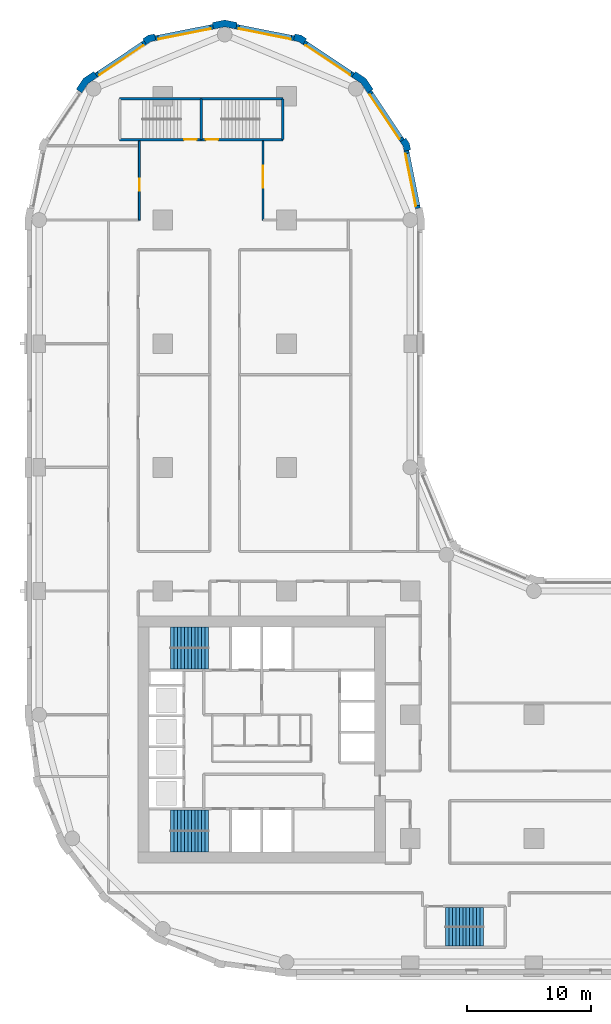
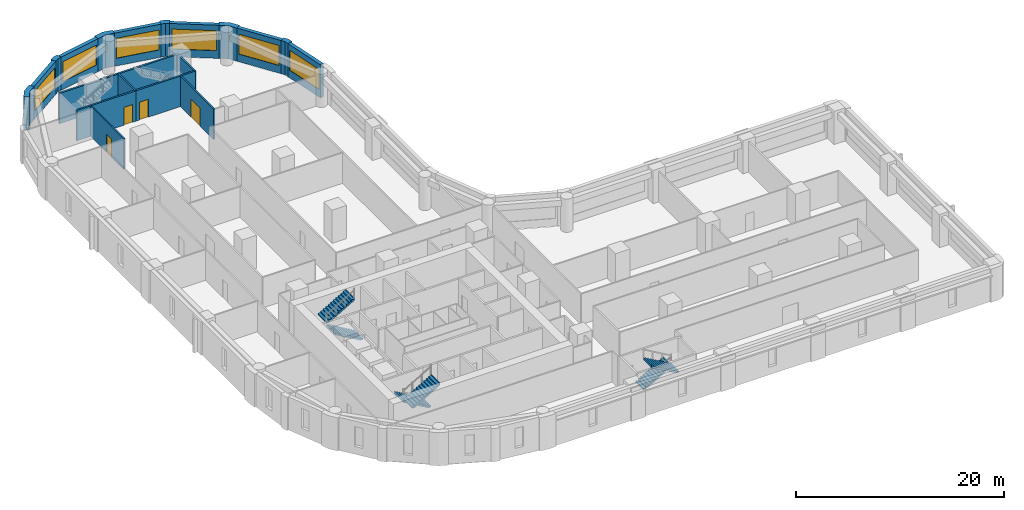
# One storey, part 7 of 10: 20 walls, 6 stair flights, 6 windows, 4 doors, 10 openings, 3 elements without a shape of their own.
"""IFC4 building model written with IfcOpenShell, lengths in metres."""

from ifc_helpers import new_model, si_unit, direction, frame, frame_2d, origin, place, context, subcontext, project, spatial, polyline, rectangle, outline, extrude, material, layer, layer_set, type_object, element, fill, aggregate, save


model = new_model("IFC4")

# Units and contexts
model_context = context("Model", 3, precision=1e-05, world=origin(), true_north=direction((0.0, 1.0)))
body_context = subcontext(model_context, "Body", "Model", "MODEL_VIEW")
ifc_project = project(units=[si_unit("LENGTHUNIT", "METRE"), si_unit("AREAUNIT", "SQUARE_METRE"), si_unit("VOLUMEUNIT", "CUBIC_METRE"), si_unit("PLANEANGLEUNIT", "RADIAN"), si_unit("MASSUNIT", "GRAM", prefix="KILO")], contexts=[model_context])

# Site, building, storey
site_placement = place(None, origin())
site = spatial("IfcSite", under=ifc_project, at=site_placement, CompositionType="ELEMENT")
building_placement = place(site_placement, origin())
building = spatial("IfcBuilding", under=site, at=building_placement, Name="Qaws Garden Tower", CompositionType="ELEMENT")
storey_placement = place(building_placement, frame((0.0, 0.0, 12.0)))
storey = spatial("IfcBuildingStorey", under=building, at=storey_placement, Name="L02", CompositionType="ELEMENT", Elevation=12.0)

# Wall, opening, window
ifc_material_1 = material(Name="Clay facing brick masonry", Category="masonry")
ifc_layer_1 = layer(ifc_material_1, 0.39990234375)
ifc_layer_set_1 = layer_set([ifc_layer_1], Name="Clay facing brick masonry")
wall_type_1 = type_object("IfcWallType", Name="Brick infill wall 400", PredefinedType="SOLIDWALL", material=ifc_layer_set_1)
wall_1_placement = place(storey_placement, frame((30.628662109375, 60.940673828125, 0.0), z_axis=(0.0, 0.0, 1.0), x_axis=(-0.195098533057, 0.98078364709, 0.0)))
wall_1 = element("IfcWall", 1, at=wall_1_placement, inside=storey, type_object=wall_type_1, Name="E-L02-infill-15", PredefinedType="SOLIDWALL", context=body_context, shape_type="SweptSolid", body=[
    extrude(rectangle(XDim=4.752685546875, YDim=0.39990234375, at=frame_2d((2.37646484375, 0.0))), origin(), (0.0, 0.0, 1.0), 3.89990234375),
])
opening_1_placement = place(wall_1_placement, frame((0.226318359375, 0.0, 0.89990234375)))
opening_1 = element("IfcOpeningElement", 2, at=opening_1_placement, cuts=wall_1, Name="Opening W06", PredefinedType="OPENING", context=body_context, shape_type="SweptSolid", body=[
    extrude(rectangle(XDim=4.300048828125, YDim=2.35009765625, at=frame_2d((2.14990234375, 1.175048828125))), frame((0.0, 0.2099609375, 0.0), z_axis=(0.0, -1.0, 0.0), x_axis=(1.0, 0.0, 0.0)), (0.0, 0.0, 1.0), 0.419921875),
])
ifc_material_2 = material(Name="Aluminium framed window, clear glazing", Category="aluminium")
window_type = type_object("IfcWindowType", Name="Ribbon window 4300 x 2350", PartitioningType="DOUBLE_PANEL_VERTICAL", PredefinedType="WINDOW", material=ifc_material_2)
window_1_placement = place(opening_1_placement, origin())
window_1 = element("IfcWindow", 3, at=window_1_placement, inside=storey, type_object=window_type, Name="E-L02-window-15-0", OverallHeight=2.35009765625, OverallWidth=4.300048828125, PartitioningType="SINGLE_PANEL", PredefinedType="WINDOW", context=body_context, shape_type="SweptSolid", body=[
    extrude(rectangle(XDim=4.300048828125, YDim=2.35009765625, at=frame_2d((2.14990234375, 1.175048828125))), frame((0.0, 0.159912109375, 0.0), z_axis=(0.0, -1.0, 0.0), x_axis=(1.0, 0.0, 0.0)), (0.0, 0.0, 1.0), 0.06005859375),
])
fill(opening_1, window_1)

wall_2_placement = place(storey_placement, frame((29.356689453125, 66.43408203125, 0.0), z_axis=(0.0, 0.0, 1.0), x_axis=(-0.555541552266, 0.831488775454, 0.0)))
wall_2 = element("IfcWall", 4, at=wall_2_placement, inside=storey, type_object=wall_type_1, Name="E-L02-infill-16", PredefinedType="SOLIDWALL", context=body_context, shape_type="SweptSolid", body=[
    extrude(rectangle(XDim=4.752685546875, YDim=0.39990234375, at=frame_2d((2.37646484375, 0.0))), origin(), (0.0, 0.0, 1.0), 3.89990234375),
])
opening_2_placement = place(wall_2_placement, frame((0.226318359375, 0.0, 0.89990234375)))
opening_2 = element("IfcOpeningElement", 5, at=opening_2_placement, cuts=wall_2, Name="Opening W06", PredefinedType="OPENING", context=body_context, shape_type="SweptSolid", body=[
    extrude(rectangle(XDim=4.300048828125, YDim=2.35009765625, at=frame_2d((2.14990234375, 1.175048828125))), frame((0.0, 0.2099609375, 0.0), z_axis=(0.0, -1.0, 0.0), x_axis=(1.0, 0.0, 0.0)), (0.0, 0.0, 1.0), 0.419921875),
])
window_2_placement = place(opening_2_placement, origin())
window_2 = element("IfcWindow", 6, at=window_2_placement, inside=storey, type_object=window_type, Name="E-L02-window-16-0", OverallHeight=2.35009765625, OverallWidth=4.300048828125, PartitioningType="SINGLE_PANEL", PredefinedType="WINDOW", context=body_context, shape_type="SweptSolid", body=[
    extrude(rectangle(XDim=4.300048828125, YDim=2.35009765625, at=frame_2d((2.14990234375, 1.175048828125))), frame((0.0, 0.159912109375, 0.0), z_axis=(0.0, -1.0, 0.0), x_axis=(1.0, 0.0, 0.0)), (0.0, 0.0, 1.0), 0.06005859375),
])
fill(opening_2, window_2)

wall_3_placement = place(storey_placement, frame((25.385986328125, 71.71630859375, 0.0), z_axis=(0.0, 0.0, 1.0), x_axis=(-0.831488775454, 0.555541552266, 0.0)))
wall_3 = element("IfcWall", 7, at=wall_3_placement, inside=storey, type_object=wall_type_1, Name="E-L02-infill-17", PredefinedType="SOLIDWALL", context=body_context, shape_type="SweptSolid", body=[
    extrude(rectangle(XDim=4.752685546875, YDim=0.39990234375, at=frame_2d((2.37646484375, 0.0))), origin(), (0.0, 0.0, 1.0), 3.89990234375),
])
opening_3_placement = place(wall_3_placement, frame((0.226318359375, 0.0, 0.89990234375)))
opening_3 = element("IfcOpeningElement", 8, at=opening_3_placement, cuts=wall_3, Name="Opening W06", PredefinedType="OPENING", context=body_context, shape_type="SweptSolid", body=[
    extrude(rectangle(XDim=4.300048828125, YDim=2.35009765625, at=frame_2d((2.14990234375, 1.175048828125))), frame((0.0, 0.2099609375, 0.0), z_axis=(0.0, -1.0, 0.0), x_axis=(1.0, 0.0, 0.0)), (0.0, 0.0, 1.0), 0.419921875),
])
window_3_placement = place(opening_3_placement, origin())
window_3 = element("IfcWindow", 9, at=window_3_placement, inside=storey, type_object=window_type, Name="E-L02-window-17-0", OverallHeight=2.35009765625, OverallWidth=4.300048828125, PartitioningType="SINGLE_PANEL", PredefinedType="WINDOW", context=body_context, shape_type="SweptSolid", body=[
    extrude(rectangle(XDim=4.300048828125, YDim=2.35009765625, at=frame_2d((2.14990234375, 1.175048828125))), frame((0.0, 0.159912109375, 0.0), z_axis=(0.0, -1.0, 0.0), x_axis=(1.0, 0.0, 0.0)), (0.0, 0.0, 1.0), 0.06005859375),
])
fill(opening_3, window_3)

wall_4_placement = place(storey_placement, frame((20.60205078125, 74.701416015625, 0.0), z_axis=(0.0, 0.0, 1.0), x_axis=(-0.98078364709, 0.195098533057, 0.0)))
wall_4 = element("IfcWall", 10, at=wall_4_placement, inside=storey, type_object=wall_type_1, Name="E-L02-infill-18", PredefinedType="SOLIDWALL", context=body_context, shape_type="SweptSolid", body=[
    extrude(rectangle(XDim=4.752685546875, YDim=0.39990234375, at=frame_2d((2.37646484375, 0.0))), origin(), (0.0, 0.0, 1.0), 3.89990234375),
])
opening_4_placement = place(wall_4_placement, frame((0.226318359375, 0.0, 0.89990234375)))
opening_4 = element("IfcOpeningElement", 11, at=opening_4_placement, cuts=wall_4, Name="Opening W06", PredefinedType="OPENING", context=body_context, shape_type="SweptSolid", body=[
    extrude(rectangle(XDim=4.300048828125, YDim=2.35009765625, at=frame_2d((2.14990234375, 1.175048828125))), frame((0.0, 0.2099609375, 0.0), z_axis=(0.0, -1.0, 0.0), x_axis=(1.0, 0.0, 0.0)), (0.0, 0.0, 1.0), 0.419921875),
])
window_4_placement = place(opening_4_placement, origin())
window_4 = element("IfcWindow", 12, at=window_4_placement, inside=storey, type_object=window_type, Name="E-L02-window-18-0", OverallHeight=2.35009765625, OverallWidth=4.300048828125, PartitioningType="SINGLE_PANEL", PredefinedType="WINDOW", context=body_context, shape_type="SweptSolid", body=[
    extrude(rectangle(XDim=4.300048828125, YDim=2.35009765625, at=frame_2d((2.14990234375, 1.175048828125))), frame((0.0, 0.159912109375, 0.0), z_axis=(0.0, -1.0, 0.0), x_axis=(1.0, 0.0, 0.0)), (0.0, 0.0, 1.0), 0.06005859375),
])
fill(opening_4, window_4)

wall_5_placement = place(storey_placement, frame((14.059326171875, 75.628662109375, 0.0), z_axis=(0.0, 0.0, 1.0), x_axis=(-0.98078364709, -0.195098533057, 0.0)))
wall_5 = element("IfcWall", 13, at=wall_5_placement, inside=storey, type_object=wall_type_1, Name="E-L02-infill-19", PredefinedType="SOLIDWALL", context=body_context, shape_type="SweptSolid", body=[
    extrude(rectangle(XDim=4.752685546875, YDim=0.39990234375, at=frame_2d((2.37646484375, 0.0))), origin(), (0.0, 0.0, 1.0), 3.89990234375),
])
opening_5_placement = place(wall_5_placement, frame((0.226318359375, 0.0, 0.89990234375)))
opening_5 = element("IfcOpeningElement", 14, at=opening_5_placement, cuts=wall_5, Name="Opening W06", PredefinedType="OPENING", context=body_context, shape_type="SweptSolid", body=[
    extrude(rectangle(XDim=4.300048828125, YDim=2.35009765625, at=frame_2d((2.14990234375, 1.175048828125))), frame((0.0, 0.2099609375, 0.0), z_axis=(0.0, -1.0, 0.0), x_axis=(1.0, 0.0, 0.0)), (0.0, 0.0, 1.0), 0.419921875),
])
window_5_placement = place(opening_5_placement, origin())
window_5 = element("IfcWindow", 15, at=window_5_placement, inside=storey, type_object=window_type, Name="E-L02-window-19-0", OverallHeight=2.35009765625, OverallWidth=4.300048828125, PartitioningType="SINGLE_PANEL", PredefinedType="WINDOW", context=body_context, shape_type="SweptSolid", body=[
    extrude(rectangle(XDim=4.300048828125, YDim=2.35009765625, at=frame_2d((2.14990234375, 1.175048828125))), frame((0.0, 0.159912109375, 0.0), z_axis=(0.0, -1.0, 0.0), x_axis=(1.0, 0.0, 0.0)), (0.0, 0.0, 1.0), 0.06005859375),
])
fill(opening_5, window_5)

wall_6_placement = place(storey_placement, frame((8.56591796875, 74.356689453125, 0.0), z_axis=(0.0, 0.0, 1.0), x_axis=(-0.831488775454, -0.555541552266, 0.0)))
wall_6 = element("IfcWall", 16, at=wall_6_placement, inside=storey, type_object=wall_type_1, Name="E-L02-infill-20", PredefinedType="SOLIDWALL", context=body_context, shape_type="SweptSolid", body=[
    extrude(rectangle(XDim=4.752685546875, YDim=0.39990234375, at=frame_2d((2.37646484375, 0.0))), origin(), (0.0, 0.0, 1.0), 3.89990234375),
])
opening_6_placement = place(wall_6_placement, frame((0.226318359375, 0.0, 0.89990234375)))
opening_6 = element("IfcOpeningElement", 17, at=opening_6_placement, cuts=wall_6, Name="Opening W06", PredefinedType="OPENING", context=body_context, shape_type="SweptSolid", body=[
    extrude(rectangle(XDim=4.300048828125, YDim=2.35009765625, at=frame_2d((2.14990234375, 1.175048828125))), frame((0.0, 0.2099609375, 0.0), z_axis=(0.0, -1.0, 0.0), x_axis=(1.0, 0.0, 0.0)), (0.0, 0.0, 1.0), 0.419921875),
])
window_6_placement = place(opening_6_placement, origin())
window_6 = element("IfcWindow", 18, at=window_6_placement, inside=storey, type_object=window_type, Name="E-L02-window-20-0", OverallHeight=2.35009765625, OverallWidth=4.300048828125, PartitioningType="SINGLE_PANEL", PredefinedType="WINDOW", context=body_context, shape_type="SweptSolid", body=[
    extrude(rectangle(XDim=4.300048828125, YDim=2.35009765625, at=frame_2d((2.14990234375, 1.175048828125))), frame((0.0, 0.159912109375, 0.0), z_axis=(0.0, -1.0, 0.0), x_axis=(1.0, 0.0, 0.0)), (0.0, 0.0, 1.0), 0.06005859375),
])
fill(opening_6, window_6)

# Walls
ifc_material_3 = material(Name="Clay facing brick masonry", Category="masonry")
ifc_layer_2 = layer(ifc_material_3, 0.550048828125)
ifc_layer_set_2 = layer_set([ifc_layer_2], Name="Clay facing brick masonry")
wall_type_2 = type_object("IfcWallType", Name="Brick kink pier 550 x 600", PredefinedType="SOLIDWALL", material=ifc_layer_set_2)
placement = place(storey_placement, origin())
element("IfcWall", 19, at=placement, inside=storey, type_object=wall_type_2, Name="E-L02-pier-16", PredefinedType="SOLIDWALL", context=body_context, shape_type="SweptSolid", body=[
    extrude(outline(polyline([(29.8974609375, 65.64111328125), (30.044677734375, 65.67041015625), (29.94140625, 66.18896484375), (29.647705078125, 66.628662109375), (29.52294921875, 66.545166015625), (29.1904296875, 66.322998046875), (29.42333984375, 65.974365234375), (29.505126953125, 65.56298828125), (29.8974609375, 65.64111328125)])), origin(), (0.0, 0.0, 1.0), 3.89990234375),
])
element("IfcWall", 20, at=placement, inside=storey, type_object=wall_type_2, Name="E-L02-pier-18", PredefinedType="SOLIDWALL", context=body_context, shape_type="SweptSolid", body=[
    extrude(outline(polyline([(21.545166015625, 74.52294921875), (21.628662109375, 74.647705078125), (21.18896484375, 74.94140625), (20.67041015625, 75.044677734375), (20.64111328125, 74.8974609375), (20.56298828125, 74.505126953125), (20.974365234375, 74.42333984375), (21.322998046875, 74.1904296875), (21.545166015625, 74.52294921875)])), origin(), (0.0, 0.0, 1.0), 3.89990234375),
])
element("IfcWall", 21, at=placement, inside=storey, type_object=wall_type_2, Name="E-L02-pier-20", PredefinedType="SOLIDWALL", context=body_context, shape_type="SweptSolid", body=[
    extrude(outline(polyline([(9.35888671875, 74.8974609375), (9.32958984375, 75.044677734375), (8.81103515625, 74.94140625), (8.371337890625, 74.647705078125), (8.454833984375, 74.52294921875), (8.677001953125, 74.1904296875), (9.025634765625, 74.42333984375), (9.43701171875, 74.505126953125), (9.35888671875, 74.8974609375)])), origin(), (0.0, 0.0, 1.0), 3.89990234375),
])
ifc_material_4 = material(Name="Clay facing brick masonry", Category="masonry")
ifc_layer_3 = layer(ifc_material_4, 0.550048828125)
ifc_layer_set_3 = layer_set([ifc_layer_3], Name="Clay facing brick masonry")
wall_type_3 = type_object("IfcWallType", Name="Brick pier 550 x 1600", PredefinedType="SOLIDWALL", material=ifc_layer_set_3)
element("IfcWall", 22, at=placement, inside=storey, type_object=wall_type_3, Name="E-L02-pier-17", PredefinedType="SOLIDWALL", context=body_context, shape_type="SweptSolid", body=[
    extrude(outline(polyline([(26.882568359375, 70.4970703125), (27.00732421875, 70.580322265625), (26.435791015625, 71.435791015625), (25.580322265625, 72.00732421875), (25.4970703125, 71.882568359375), (25.274658203125, 71.550048828125), (26.0390625, 71.0390625), (26.550048828125, 70.274658203125), (26.882568359375, 70.4970703125)])), origin(), (0.0, 0.0, 1.0), 3.89990234375),
])
element("IfcWall", 23, at=placement, inside=storey, type_object=wall_type_3, Name="E-L02-pier-19", PredefinedType="SOLIDWALL", context=body_context, shape_type="SweptSolid", body=[
    extrude(outline(polyline([(15.979736328125, 75.82470703125), (16.009033203125, 75.971923828125), (15.0, 76.172607421875), (13.990966796875, 75.971923828125), (14.020263671875, 75.82470703125), (14.098388671875, 75.432373046875), (15.0, 75.61181640625), (15.901611328125, 75.432373046875), (15.979736328125, 75.82470703125)])), origin(), (0.0, 0.0, 1.0), 3.89990234375),
])
element("IfcWall", 24, at=placement, inside=storey, type_object=wall_type_3, Name="E-L02-pier-21", PredefinedType="SOLIDWALL", context=body_context, shape_type="SweptSolid", body=[
    extrude(outline(polyline([(4.5029296875, 71.882568359375), (4.419677734375, 72.00732421875), (3.564208984375, 71.435791015625), (2.99267578125, 70.580322265625), (3.117431640625, 70.4970703125), (3.449951171875, 70.274658203125), (3.9609375, 71.0390625), (4.725341796875, 71.550048828125), (4.5029296875, 71.882568359375)])), origin(), (0.0, 0.0, 1.0), 3.89990234375),
])

# Wall, opening, door
ifc_material_5 = material(Name="Concrete C80", Category="concrete")
ifc_layer_4 = layer(ifc_material_5, 0.199951171875)
ifc_layer_set_4 = layer_set([ifc_layer_4], Name="Concrete C80")
wall_type_4 = type_object("IfcWallType", Name="Core shaft wall 200 C80", PredefinedType="SHEAR", material=ifc_layer_set_4)
wall_13_placement = place(storey_placement, frame((6.5, 66.5, 0.0), z_axis=(0.0, 0.0, 1.0), x_axis=(1.0, 0.0, 0.0)))
wall_13 = element("IfcWall", 25, at=wall_13_placement, inside=storey, type_object=wall_type_4, Name="Shaft wall", PredefinedType="SHEAR", context=body_context, shape_type="SweptSolid", body=[
    extrude(rectangle(XDim=6.60009765625, YDim=0.199951171875, at=frame_2d((3.300048828125, 0.0))), origin(), (0.0, 0.0, 1.0), 3.580078125),
])
opening_7_placement = place(wall_13_placement, frame((5.22509765625, 0.0, 0.0)))
opening_7 = element("IfcOpeningElement", 26, at=opening_7_placement, cuts=wall_13, Name="Opening SD13", PredefinedType="OPENING", context=body_context, shape_type="SweptSolid", body=[
    extrude(rectangle(XDim=1.0, YDim=2.10009765625, at=frame_2d((0.5, 1.050048828125))), frame((0.0, 0.10986328125, 0.0), z_axis=(0.0, -1.0, 0.0), x_axis=(1.0, 0.0, 0.0)), (0.0, 0.0, 1.0), 0.219970703125),
])
ifc_material_6 = material(Name="Steel S235", Category="steel")
door_type_1 = type_object("IfcDoorType", Name="Stair door 1000x2100", OperationType="SINGLE_SWING_RIGHT", PredefinedType="DOOR", material=ifc_material_6)
door_1_placement = place(opening_7_placement, origin())
door_1 = element("IfcDoor", 27, at=door_1_placement, inside=storey, type_object=door_type_1, Name="Stair 6 door", OperationType="SINGLE_SWING_RIGHT", OverallHeight=2.10009765625, OverallWidth=1.0, PredefinedType="DOOR", context=body_context, shape_type="SweptSolid", body=[
    extrude(rectangle(XDim=1.0, YDim=2.10009765625, at=frame_2d((0.5, 1.050048828125))), frame((0.0, 0.02490234375, 0.0), z_axis=(0.0, -1.0, 0.0), x_axis=(1.0, 0.0, 0.0)), (0.0, 0.0, 1.0), 0.050048828125),
])
fill(opening_7, door_1)

wall_14_placement = place(storey_placement, frame((13.10009765625, 66.5, 0.0), z_axis=(0.0, 0.0, 1.0), x_axis=(1.0, 0.0, 0.0)))
wall_14 = element("IfcWall", 28, at=wall_14_placement, inside=storey, type_object=wall_type_4, Name="Shaft wall", PredefinedType="SHEAR", context=body_context, shape_type="SweptSolid", body=[
    extrude(rectangle(XDim=6.599853515625, YDim=0.199951171875, at=frame_2d((3.2998046875, 0.0))), origin(), (0.0, 0.0, 1.0), 3.580078125),
])
opening_8_placement = place(wall_14_placement, frame((0.375, 0.0, 0.0)))
opening_8 = element("IfcOpeningElement", 29, at=opening_8_placement, cuts=wall_14, Name="Opening SD14", PredefinedType="OPENING", context=body_context, shape_type="SweptSolid", body=[
    extrude(rectangle(XDim=1.0, YDim=2.10009765625, at=frame_2d((0.5, 1.050048828125))), frame((0.0, 0.10986328125, 0.0), z_axis=(0.0, -1.0, 0.0), x_axis=(1.0, 0.0, 0.0)), (0.0, 0.0, 1.0), 0.219970703125),
])
door_2_placement = place(opening_8_placement, origin())
door_2 = element("IfcDoor", 30, at=door_2_placement, inside=storey, type_object=door_type_1, Name="Stair 7 door", OperationType="SINGLE_SWING_LEFT", OverallHeight=2.10009765625, OverallWidth=1.0, PredefinedType="DOOR", context=body_context, shape_type="SweptSolid", body=[
    extrude(rectangle(XDim=1.0, YDim=2.10009765625, at=frame_2d((0.5, 1.050048828125))), frame((0.0, 0.02490234375, 0.0), z_axis=(0.0, -1.0, 0.0), x_axis=(1.0, 0.0, 0.0)), (0.0, 0.0, 1.0), 0.050048828125),
])
fill(opening_8, door_2)

# Walls
wall_15_placement = place(storey_placement, frame((6.5, 69.800048828125, 0.0), z_axis=(0.0, 0.0, 1.0), x_axis=(1.0, 0.0, 0.0)))
element("IfcWall", 31, at=wall_15_placement, inside=storey, type_object=wall_type_4, Name="Shaft wall", PredefinedType="SHEAR", context=body_context, shape_type="SweptSolid", body=[
    extrude(rectangle(XDim=6.60009765625, YDim=0.199951171875, at=frame_2d((3.300048828125, 0.0))), origin(), (0.0, 0.0, 1.0), 3.580078125),
])
wall_16_placement = place(storey_placement, frame((13.10009765625, 69.800048828125, 0.0), z_axis=(0.0, 0.0, 1.0), x_axis=(1.0, 0.0, 0.0)))
element("IfcWall", 32, at=wall_16_placement, inside=storey, type_object=wall_type_4, Name="Shaft wall", PredefinedType="SHEAR", context=body_context, shape_type="SweptSolid", body=[
    extrude(rectangle(XDim=6.599853515625, YDim=0.199951171875, at=frame_2d((3.2998046875, 0.0))), origin(), (0.0, 0.0, 1.0), 3.580078125),
])
for number, where, z_axis, x_axis, name in (
    (33, (13.10009765625, 66.5, 0.0), (0.0, 0.0, 1.0), (0.0, 1.0, 0.0), "Shaft wall"),
    (34, (19.699951171875, 66.5, 0.0), (0.0, 0.0, 1.0), (0.0, 1.0, 0.0), "Shaft wall"),
):
    element("IfcWall", number, at=place(storey_placement, frame(where, z_axis=z_axis, x_axis=x_axis)), inside=storey, type_object=wall_type_4, Name=name, PredefinedType="SHEAR", context=body_context, shape_type="SweptSolid", body=[
        extrude(rectangle(XDim=3.300048828125, YDim=0.199951171875, at=frame_2d((1.64990234375, 0.0))), origin(), (0.0, 0.0, 1.0), 3.580078125),
    ])

# Wall, opening, door
ifc_material_7 = material(Name="Gypsum board partition")
ifc_layer_5 = layer(ifc_material_7, 0.14990234375)
ifc_layer_set_5 = layer_set([ifc_layer_5], Name="Gypsum board partition")
wall_type_5 = type_object("IfcWallType", Name="PARTITION 150 EI 60", PredefinedType="PARTITIONING", material=ifc_layer_set_5)
wall_17_placement = place(storey_placement, frame((8.10009765625, 60.0, 0.0), z_axis=(0.0, 0.0, 1.0), x_axis=(0.0, 1.0, 0.0)))
wall_17 = element("IfcWall", 35, at=wall_17_placement, inside=storey, type_object=wall_type_5, Name="O-L02-wall-005", PredefinedType="PARTITIONING", context=body_context, shape_type="SweptSolid", body=[
    extrude(rectangle(XDim=6.39990234375, YDim=0.14990234375, at=frame_2d((3.199951171875, 0.0))), origin(), (0.0, 0.0, 1.0), 3.580078125),
])
opening_9_placement = place(wall_17_placement, frame((2.35009765625, 0.0, 0.0)))
opening_9 = element("IfcOpeningElement", 36, at=opening_9_placement, cuts=wall_17, Name="Opening A116", PredefinedType="OPENING", context=body_context, shape_type="SweptSolid", body=[
    extrude(rectangle(XDim=1.0, YDim=2.10009765625, at=frame_2d((0.5, 1.050048828125))), frame((0.0, 0.0849609375, 0.0), z_axis=(0.0, -1.0, 0.0), x_axis=(1.0, 0.0, 0.0)), (0.0, 0.0, 1.0), 0.169921875),
])
ifc_material_8 = material(Name="Timber door leaf", Category="wood")
door_type_2 = type_object("IfcDoorType", Name="TENANCY ENTRANCE DOOR 1000 X 2100", OperationType="SINGLE_SWING_LEFT", PredefinedType="DOOR", material=ifc_material_8)
door_3_placement = place(opening_9_placement, origin())
door_3 = element("IfcDoor", 37, at=door_3_placement, inside=storey, type_object=door_type_2, Name="O-L02-door-016", OperationType="SINGLE_SWING_LEFT", OverallHeight=2.10009765625, OverallWidth=1.0, PredefinedType="DOOR", context=body_context, shape_type="SweptSolid", body=[
    extrude(rectangle(XDim=1.0, YDim=2.10009765625, at=frame_2d((0.5, 1.050048828125))), frame((0.0, 0.02490234375, 0.0), z_axis=(0.0, -1.0, 0.0), x_axis=(1.0, 0.0, 0.0)), (0.0, 0.0, 1.0), 0.050048828125),
])
fill(opening_9, door_3)

wall_18_placement = place(storey_placement, frame((18.10009765625, 60.0, 0.0), z_axis=(0.0, 0.0, 1.0), x_axis=(0.0, 1.0, 0.0)))
wall_18 = element("IfcWall", 38, at=wall_18_placement, inside=storey, type_object=wall_type_5, Name="O-L02-wall-010", PredefinedType="PARTITIONING", context=body_context, shape_type="SweptSolid", body=[
    extrude(rectangle(XDim=6.39990234375, YDim=0.14990234375, at=frame_2d((3.199951171875, 0.0))), origin(), (0.0, 0.0, 1.0), 3.580078125),
])
opening_10_placement = place(wall_18_placement, frame((2.60009765625, 0.0, 0.0)))
opening_10 = element("IfcOpeningElement", 39, at=opening_10_placement, cuts=wall_18, Name="Opening A117", PredefinedType="OPENING", context=body_context, shape_type="SweptSolid", body=[
    extrude(rectangle(XDim=1.800048828125, YDim=2.10009765625, at=frame_2d((0.89990234375, 1.050048828125))), frame((0.0, 0.0849609375, 0.0), z_axis=(0.0, -1.0, 0.0), x_axis=(1.0, 0.0, 0.0)), (0.0, 0.0, 1.0), 0.169921875),
])
ifc_material_9 = material(Name="Timber door leaf", Category="wood")
door_type_3 = type_object("IfcDoorType", Name="DOUBLE DOOR 1800 X 2100", OperationType="DOUBLE_DOOR_SINGLE_SWING", PredefinedType="DOOR", material=ifc_material_9)
door_4_placement = place(opening_10_placement, frame((1.800048828125, 0.0, 0.0), z_axis=(0.0, 0.0, 1.0), x_axis=(-1.0, 0.0, 0.0)))
door_4 = element("IfcDoor", 40, at=door_4_placement, inside=storey, type_object=door_type_3, Name="O-L02-door-017", OperationType="DOUBLE_DOOR_SINGLE_SWING", OverallHeight=2.10009765625, OverallWidth=1.800048828125, PredefinedType="DOOR", context=body_context, shape_type="SweptSolid", body=[
    extrude(rectangle(XDim=1.800048828125, YDim=2.10009765625, at=frame_2d((0.89990234375, 1.050048828125))), frame((0.0, 0.02490234375, 0.0), z_axis=(0.0, -1.0, 0.0), x_axis=(1.0, 0.0, 0.0)), (0.0, 0.0, 1.0), 0.050048828125),
])
fill(opening_10, door_4)

# Stair, stair flights
ifc_material_10 = material(Name="Concrete C40", Category="concrete")
stair_type_1 = type_object("IfcStairType", Name="Exit stair 1350", PredefinedType="HALF_TURN_STAIR", material=ifc_material_10)
stair_1 = element("IfcStair", 41, at=placement, inside=storey, type_object=stair_type_1, Name="Stair 5", PredefinedType="HALF_TURN_STAIR")
ifc_material_11 = material(Name="Concrete C40", Category="concrete")
stair_flight_type_1 = type_object("IfcStairFlightType", Name="Stair flight 1350", PredefinedType="STRAIGHT", material=ifc_material_11)
stair_flight_1_placement = place(storey_placement, frame((32.85009765625, 3.625, 0.0), z_axis=(0.0, 0.0, 1.0), x_axis=(1.0, 0.0, 0.0)))
stair_flight_1 = element("IfcStairFlight", 42, at=stair_flight_1_placement, type_object=stair_flight_type_1, Name="ST5 flight 1", NumberOfRisers=12, NumberOfTreads=11, PredefinedType="STRAIGHT", RiserHeight=0.1625, TreadLength=0.28, context=body_context, shape_type="SweptSolid", body=[
    extrude(outline(polyline([(-0.0029296875, 0.0), (-0.0029296875, 0.16259765625), (0.0, 0.16259765625), (0.280029296875, 0.16259765625), (0.280029296875, 0.324951171875), (0.56005859375, 0.324951171875), (0.56005859375, 0.487548828125), (0.840087890625, 0.487548828125), (0.840087890625, 0.64990234375), (1.1201171875, 0.64990234375), (1.1201171875, 0.8125), (1.39990234375, 0.8125), (1.39990234375, 0.97509765625), (1.679931640625, 0.97509765625), (1.679931640625, 1.137451171875), (1.9599609375, 1.137451171875), (1.9599609375, 1.300048828125), (2.239990234375, 1.300048828125), (2.239990234375, 1.46240234375), (2.52001953125, 1.46240234375), (2.52001953125, 1.625), (2.800048828125, 1.625), (2.800048828125, 1.78759765625), (3.080078125, 1.78759765625), (3.080078125, 1.949951171875), (3.0830078125, 1.949951171875), (3.0830078125, 1.6142578125), (3.080078125, 1.6142578125), (0.298583984375, 0.0), (-0.0029296875, 0.0)])), frame((0.0, 0.77490234375, 0.0), z_axis=(0.0, -1.0, 0.0), x_axis=(1.0, 0.0, 0.0)), (0.0, 0.0, 1.0), 1.550048828125),
])
stair_flight_2_placement = place(storey_placement, frame((35.929931640625, 2.074951171875, 1.949951171875), z_axis=(0.0, 0.0, 1.0), x_axis=(-1.0, 0.0, 0.0)))
stair_flight_2 = element("IfcStairFlight", 43, at=stair_flight_2_placement, type_object=stair_flight_type_1, Name="ST5 flight 2", NumberOfRisers=12, NumberOfTreads=11, PredefinedType="STRAIGHT", RiserHeight=0.1625, TreadLength=0.28, context=body_context, shape_type="SweptSolid", body=[
    extrude(outline(polyline([(-0.0029296875, 0.0), (-0.0029296875, 0.16259765625), (0.0, 0.16259765625), (0.280029296875, 0.16259765625), (0.280029296875, 0.324951171875), (0.56005859375, 0.324951171875), (0.56005859375, 0.487548828125), (0.840087890625, 0.487548828125), (0.840087890625, 0.64990234375), (1.1201171875, 0.64990234375), (1.1201171875, 0.8125), (1.39990234375, 0.8125), (1.39990234375, 0.97509765625), (1.679931640625, 0.97509765625), (1.679931640625, 1.137451171875), (1.9599609375, 1.137451171875), (1.9599609375, 1.300048828125), (2.239990234375, 1.300048828125), (2.239990234375, 1.46240234375), (2.52001953125, 1.46240234375), (2.52001953125, 1.625), (2.800048828125, 1.625), (2.800048828125, 1.78759765625), (3.080078125, 1.78759765625), (3.080078125, 1.949951171875), (3.0830078125, 1.949951171875), (3.0830078125, 1.6142578125), (3.080078125, 1.6142578125), (0.298583984375, 0.0), (-0.0029296875, 0.0)])), frame((0.0, 0.77490234375, 0.0), z_axis=(0.0, -1.0, 0.0), x_axis=(1.0, 0.0, 0.0)), (0.0, 0.0, 1.0), 1.550048828125),
])
aggregate(stair_1, [stair_flight_1, stair_flight_2])

ifc_material_12 = material(Name="Concrete C40", Category="concrete")
stair_type_2 = type_object("IfcStairType", Name="Exit stair 1500", PredefinedType="HALF_TURN_STAIR", material=ifc_material_12)
stair_2 = element("IfcStair", 44, at=placement, inside=storey, type_object=stair_type_2, Name="Stair 1", PredefinedType="HALF_TURN_STAIR")
ifc_material_13 = material(Name="Concrete C40", Category="concrete")
stair_flight_type_2 = type_object("IfcStairFlightType", Name="Stair flight 1500", PredefinedType="STRAIGHT", material=ifc_material_13)
stair_flight_3_placement = place(storey_placement, frame((13.699951171875, 11.449951171875, 0.0), z_axis=(0.0, 0.0, 1.0), x_axis=(-1.0, 0.0, 0.0)))
stair_flight_3 = element("IfcStairFlight", 45, at=stair_flight_3_placement, type_object=stair_flight_type_2, Name="ST1 flight 1", NumberOfRisers=12, NumberOfTreads=11, PredefinedType="STRAIGHT", RiserHeight=0.1625, TreadLength=0.28, context=body_context, shape_type="SweptSolid", body=[
    extrude(outline(polyline([(-0.0029296875, 0.0), (-0.0029296875, 0.16259765625), (0.0, 0.16259765625), (0.280029296875, 0.16259765625), (0.280029296875, 0.324951171875), (0.56005859375, 0.324951171875), (0.56005859375, 0.487548828125), (0.840087890625, 0.487548828125), (0.840087890625, 0.64990234375), (1.1201171875, 0.64990234375), (1.1201171875, 0.8125), (1.39990234375, 0.8125), (1.39990234375, 0.97509765625), (1.679931640625, 0.97509765625), (1.679931640625, 1.137451171875), (1.9599609375, 1.137451171875), (1.9599609375, 1.300048828125), (2.239990234375, 1.300048828125), (2.239990234375, 1.46240234375), (2.52001953125, 1.46240234375), (2.52001953125, 1.625), (2.800048828125, 1.625), (2.800048828125, 1.78759765625), (3.080078125, 1.78759765625), (3.080078125, 1.949951171875), (3.0830078125, 1.949951171875), (3.0830078125, 1.6142578125), (3.080078125, 1.6142578125), (0.298583984375, 0.0), (-0.0029296875, 0.0)])), frame((0.0, 0.85009765625, 0.0), z_axis=(0.0, -1.0, 0.0), x_axis=(1.0, 0.0, 0.0)), (0.0, 0.0, 1.0), 1.699951171875),
])
stair_flight_4_placement = place(storey_placement, frame((10.6201171875, 9.75, 1.949951171875), z_axis=(0.0, 0.0, 1.0), x_axis=(1.0, 0.0, 0.0)))
stair_flight_4 = element("IfcStairFlight", 46, at=stair_flight_4_placement, type_object=stair_flight_type_2, Name="ST1 flight 2", NumberOfRisers=12, NumberOfTreads=11, PredefinedType="STRAIGHT", RiserHeight=0.1625, TreadLength=0.28, context=body_context, shape_type="SweptSolid", body=[
    extrude(outline(polyline([(-0.0029296875, 0.0), (-0.0029296875, 0.16259765625), (0.0, 0.16259765625), (0.280029296875, 0.16259765625), (0.280029296875, 0.324951171875), (0.56005859375, 0.324951171875), (0.56005859375, 0.487548828125), (0.840087890625, 0.487548828125), (0.840087890625, 0.64990234375), (1.1201171875, 0.64990234375), (1.1201171875, 0.8125), (1.39990234375, 0.8125), (1.39990234375, 0.97509765625), (1.679931640625, 0.97509765625), (1.679931640625, 1.137451171875), (1.9599609375, 1.137451171875), (1.9599609375, 1.300048828125), (2.239990234375, 1.300048828125), (2.239990234375, 1.46240234375), (2.52001953125, 1.46240234375), (2.52001953125, 1.625), (2.800048828125, 1.625), (2.800048828125, 1.78759765625), (3.080078125, 1.78759765625), (3.080078125, 1.949951171875), (3.0830078125, 1.949951171875), (3.0830078125, 1.6142578125), (3.080078125, 1.6142578125), (0.298583984375, 0.0), (-0.0029296875, 0.0)])), frame((0.0, 0.85009765625, 0.0), z_axis=(0.0, -1.0, 0.0), x_axis=(1.0, 0.0, 0.0)), (0.0, 0.0, 1.0), 1.699951171875),
])
aggregate(stair_2, [stair_flight_3, stair_flight_4])

stair_3 = element("IfcStair", 47, at=placement, inside=storey, type_object=stair_type_2, Name="Stair 4", PredefinedType="HALF_TURN_STAIR")
stair_flight_5_placement = place(storey_placement, frame((13.699951171875, 24.550048828125, 0.0), z_axis=(0.0, 0.0, 1.0), x_axis=(-1.0, 0.0, 0.0)))
stair_flight_5 = element("IfcStairFlight", 48, at=stair_flight_5_placement, type_object=stair_flight_type_2, Name="ST4 flight 1", NumberOfRisers=12, NumberOfTreads=11, PredefinedType="STRAIGHT", RiserHeight=0.1625, TreadLength=0.28, context=body_context, shape_type="SweptSolid", body=[
    extrude(outline(polyline([(-0.0029296875, 0.0), (-0.0029296875, 0.16259765625), (0.0, 0.16259765625), (0.280029296875, 0.16259765625), (0.280029296875, 0.324951171875), (0.56005859375, 0.324951171875), (0.56005859375, 0.487548828125), (0.840087890625, 0.487548828125), (0.840087890625, 0.64990234375), (1.1201171875, 0.64990234375), (1.1201171875, 0.8125), (1.39990234375, 0.8125), (1.39990234375, 0.97509765625), (1.679931640625, 0.97509765625), (1.679931640625, 1.137451171875), (1.9599609375, 1.137451171875), (1.9599609375, 1.300048828125), (2.239990234375, 1.300048828125), (2.239990234375, 1.46240234375), (2.52001953125, 1.46240234375), (2.52001953125, 1.625), (2.800048828125, 1.625), (2.800048828125, 1.78759765625), (3.080078125, 1.78759765625), (3.080078125, 1.949951171875), (3.0830078125, 1.949951171875), (3.0830078125, 1.6142578125), (3.080078125, 1.6142578125), (0.298583984375, 0.0), (-0.0029296875, 0.0)])), frame((0.0, 0.844970703125, 0.0), z_axis=(0.0, -1.0, 0.0), x_axis=(1.0, 0.0, 0.0)), (0.0, 0.0, 1.0), 1.68994140625),
])
stair_flight_6_placement = place(storey_placement, frame((10.6201171875, 26.25, 1.949951171875), z_axis=(0.0, 0.0, 1.0), x_axis=(1.0, 0.0, 0.0)))
stair_flight_6 = element("IfcStairFlight", 49, at=stair_flight_6_placement, type_object=stair_flight_type_2, Name="ST4 flight 2", NumberOfRisers=12, NumberOfTreads=11, PredefinedType="STRAIGHT", RiserHeight=0.1625, TreadLength=0.28, context=body_context, shape_type="SweptSolid", body=[
    extrude(outline(polyline([(-0.0029296875, 0.0), (-0.0029296875, 0.16259765625), (0.0, 0.16259765625), (0.280029296875, 0.16259765625), (0.280029296875, 0.324951171875), (0.56005859375, 0.324951171875), (0.56005859375, 0.487548828125), (0.840087890625, 0.487548828125), (0.840087890625, 0.64990234375), (1.1201171875, 0.64990234375), (1.1201171875, 0.8125), (1.39990234375, 0.8125), (1.39990234375, 0.97509765625), (1.679931640625, 0.97509765625), (1.679931640625, 1.137451171875), (1.9599609375, 1.137451171875), (1.9599609375, 1.300048828125), (2.239990234375, 1.300048828125), (2.239990234375, 1.46240234375), (2.52001953125, 1.46240234375), (2.52001953125, 1.625), (2.800048828125, 1.625), (2.800048828125, 1.78759765625), (3.080078125, 1.78759765625), (3.080078125, 1.949951171875), (3.0830078125, 1.949951171875), (3.0830078125, 1.6142578125), (3.080078125, 1.6142578125), (0.298583984375, 0.0), (-0.0029296875, 0.0)])), frame((0.0, 0.844970703125, 0.0), z_axis=(0.0, -1.0, 0.0), x_axis=(1.0, 0.0, 0.0)), (0.0, 0.0, 1.0), 1.68994140625),
])
aggregate(stair_3, [stair_flight_5, stair_flight_6])

save(model, "model.ifc")
